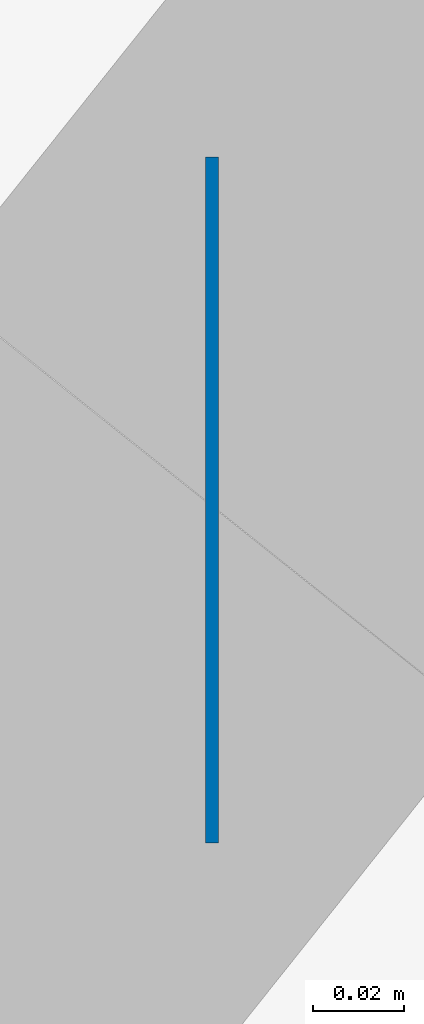
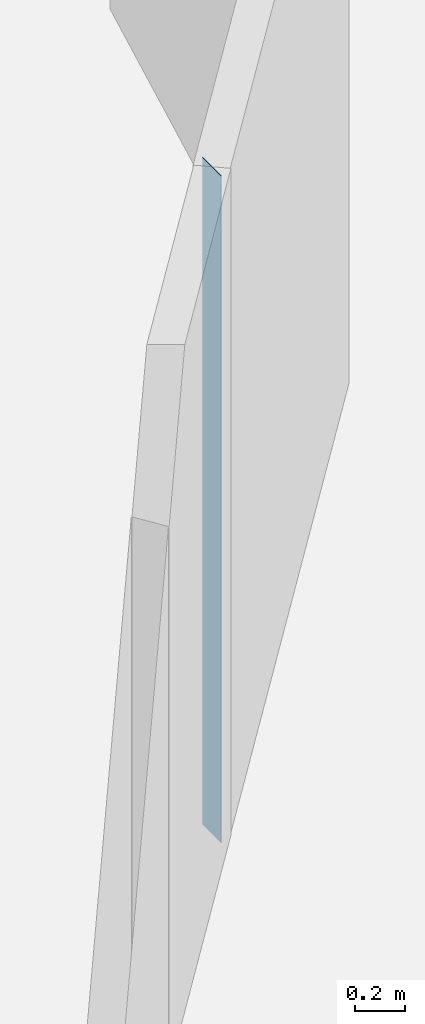
# One storey, part 5 of 12: 1 wall.
"""IFC4 building model written with IfcOpenShell, lengths in metres."""

import ifcopenshell
import ifcopenshell.guid

model = None  # the IFC model being written
_history = None  # IfcOwnerHistory: only IFC2X3 demands one
_inside = {}  # id of a spatial element -> (the spatial element, [elements in it])
_under = {}  # id of a project, library or spatial element -> (it, [spatial elements below it])
_declared = {}  # id of a project -> (the project, [libraries it declares])
_typed = {}  # id of a type object -> (the type object, [elements of that type])
_made_of = {}  # id of a material, layer set ... -> (it, [elements and type objects made of it])


def new_model(schema):
    """Start an empty IFC model of exactly this schema.

    Asked for "IFC4X3", IfcOpenShell would pick the latest addendum, in which some entities
    have other attributes; the version numbers below select the first issue.
    IFC2X3 requires an IfcOwnerHistory on every rooted entity: one is made here for all.
    """
    global model, _history
    if schema == "IFC4X3":
        model = ifcopenshell.file(schema_version=(4, 3, 0, 0))
    else:
        model = ifcopenshell.file(schema=schema)
    _inside.clear()
    _under.clear()
    _declared.clear()
    _typed.clear()
    _made_of.clear()
    _history = None
    if model.schema == "IFC2X3":
        org = make("IfcOrganization", Name="unknown")
        user = make(
            "IfcPersonAndOrganization",
            ThePerson=make("IfcPerson", FamilyName="unknown"),
            TheOrganization=org,
        )
        app = make(
            "IfcApplication",
            ApplicationDeveloper=org,
            Version="unknown",
            ApplicationFullName="unknown",
            ApplicationIdentifier="unknown",
        )
        _history = make(
            "IfcOwnerHistory",
            OwningUser=user,
            OwningApplication=app,
            ChangeAction="ADDED",
            CreationDate=0,
        )
    return model


def make(cls, **values):
    """One entity of the class cls with the attributes given. An attribute that is None is left unset."""
    return model.create_entity(
        cls, **{name: value for name, value in values.items() if value is not None}
    )


def rooted(cls, **values):
    """An entity with a GlobalId (a new one), such as an element, a storey or a relation."""
    return make(cls, GlobalId=ifcopenshell.guid.new(), OwnerHistory=_history, **values)


def si_unit(unit_type, name, prefix=None):
    """IfcSIUnit, for example si_unit("LENGTHUNIT", "METRE", prefix="MILLI")."""
    return make("IfcSIUnit", UnitType=unit_type, Prefix=prefix, Name=name)


def assignment(units):
    """IfcUnitAssignment: the units of a project."""
    return None if units is None else make("IfcUnitAssignment", Units=units)


def point(xyz):
    """IfcCartesianPoint."""
    return None if xyz is None else make("IfcCartesianPoint", Coordinates=xyz)


def direction(xyz):
    """IfcDirection."""
    return None if xyz is None else make("IfcDirection", DirectionRatios=xyz)


def frame(location, z_axis=None, x_axis=None):
    """IfcAxis2Placement3D, a coordinate frame: its origin and axes. An axis left out is left unset."""
    return make(
        "IfcAxis2Placement3D",
        Location=point(location),
        Axis=direction(z_axis),
        RefDirection=direction(x_axis),
    )


def frame_2d(location, x_axis=None):
    """IfcAxis2Placement2D, a coordinate frame in the plane: its origin and x axis."""
    return make(
        "IfcAxis2Placement2D", Location=point(location), RefDirection=direction(x_axis)
    )


def origin():
    """The frame at (0, 0, 0) with its axes left unset."""
    return frame((0.0, 0.0, 0.0))


def place(relative_to, where):
    """IfcLocalPlacement: puts the frame where relative to a parent placement (None: the world)."""
    return make(
        "IfcLocalPlacement", PlacementRelTo=relative_to, RelativePlacement=where
    )


def context(
    kind, dimensions, precision=None, world=None, true_north=None, identifier=None
):
    """IfcGeometricRepresentationContext, for example the 3D "Model" context."""
    return make(
        "IfcGeometricRepresentationContext",
        ContextIdentifier=identifier,
        ContextType=kind,
        CoordinateSpaceDimension=dimensions,
        Precision=precision,
        WorldCoordinateSystem=world,
        TrueNorth=true_north,
    )


def subcontext(parent, identifier, kind, view, scale=None):
    """IfcGeometricRepresentationSubContext, for example "Body" below "Model"."""
    return make(
        "IfcGeometricRepresentationSubContext",
        ContextIdentifier=identifier,
        ContextType=kind,
        ParentContext=parent,
        TargetScale=scale,
        TargetView=view,
    )


def project(units=None, contexts=None):
    """IfcProject with its units and contexts."""
    return rooted(
        "IfcProject",
        Name="project",
        RepresentationContexts=contexts,
        UnitsInContext=assignment(units),
    )


def spatial(cls, under=None, at=None, **own):
    """A site, building, storey or space (cls), placed at a placement, below another one or the project."""
    s = rooted(cls, ObjectPlacement=at, **own)
    if under is not None:
        _under.setdefault(under.id(), (under, []))[1].append(s)
    return s


def profile(cls, at=None, kind="AREA", **sizes):
    """A parametric profile (cls). Its sizes go by their IFC names, for example OverallWidth=200.0."""
    return make(cls, ProfileType=kind, Position=at, **sizes)


def rectangle(**sizes):
    """IfcRectangleProfileDef."""
    return profile("IfcRectangleProfileDef", **sizes)


def extrude(swept, where, along, depth):
    """IfcExtrudedAreaSolid: the profile swept, set in the frame where, extruded along a direction by depth."""
    return make(
        "IfcExtrudedAreaSolid",
        SweptArea=swept,
        Position=where,
        ExtrudedDirection=direction(along),
        Depth=depth,
    )


def shape(context_of_items, identifier, shape_type, items):
    """IfcShapeRepresentation: the items that make up one representation, for example the "Body"."""
    return make(
        "IfcShapeRepresentation",
        ContextOfItems=context_of_items,
        RepresentationIdentifier=identifier,
        RepresentationType=shape_type,
        Items=items,
    )


def material(Name=None, Category=None):
    """IfcMaterial."""
    return make("IfcMaterial", Name=Name, Category=Category)


def layer(
    of_material, thickness, ventilated=None, Name=None, Category=None, Priority=None
):
    """IfcMaterialLayer: one layer of a wall or slab, of a material (None: an air gap)."""
    return make(
        "IfcMaterialLayer",
        Material=of_material,
        LayerThickness=thickness,
        IsVentilated=ventilated,
        Name=Name,
        Category=Category,
        Priority=Priority,
    )


def layer_set(layers, Name=None):
    """IfcMaterialLayerSet."""
    return make("IfcMaterialLayerSet", MaterialLayers=layers, LayerSetName=Name)


def made_of(thing, what):
    """Note that an element or type object is made of a material, layer set ...; save() writes the relation."""
    if what is not None:
        _made_of.setdefault(what.id(), (what, []))[1].append(thing)
    return thing


def type_object(cls, material=None, **own):
    """A type object (cls), such as IfcWallType, which elements share."""
    return made_of(rooted(cls, **own), material)


def element(
    cls,
    number,
    at=None,
    inside=None,
    cuts=None,
    type_object=None,
    material=None,
    context=None,
    identifier="Body",
    shape_type=None,
    held_by="IfcProductDefinitionShape",
    body=None,
    shapes=None,
    **own,
):
    """One element of the class cls, such as IfcWall. Its Tag is "e" and its number.

    at: its placement. inside: the storey or other place that contains it. cuts: it is an
    opening in that element (IfcRelVoidsElement). A single representation is given by context,
    identifier, shape_type and body (its items); several are given by shapes. held_by: the class
    of the entity that holds the representations. save() writes the other relations.
    """
    e = rooted(cls, Tag="e%d" % number, ObjectPlacement=at, **own)
    if body is not None:
        shapes = [shape(context, identifier, shape_type, body)]
    if shapes is not None:
        e.Representation = make(held_by, Representations=shapes)
    if inside is not None:
        _inside.setdefault(inside.id(), (inside, []))[1].append(e)
    if cuts is not None:
        rooted(
            "IfcRelVoidsElement", RelatingBuildingElement=cuts, RelatedOpeningElement=e
        )
    if type_object is not None:
        _typed.setdefault(type_object.id(), (type_object, []))[1].append(e)
    return made_of(e, material)


def aggregate(whole, parts):
    """IfcRelAggregates: a whole, such as a stair, and the parts it consists of."""
    return rooted("IfcRelAggregates", RelatingObject=whole, RelatedObjects=parts)


def save(model, path):
    """Write the relations noted so far, then the file.

    IfcRelAggregates (storeys below a building ...), IfcRelContainedInSpatialStructure (elements
    in a storey), IfcRelDefinesByType, IfcRelAssociatesMaterial and IfcRelDeclares: one each for
    every whole, place, type object, material and project.
    """
    for whole, parts in _under.values():
        aggregate(whole, parts)
    for where, things in _inside.values():
        rooted(
            "IfcRelContainedInSpatialStructure",
            RelatedElements=things,
            RelatingStructure=where,
        )
    for kind, things in _typed.values():
        rooted("IfcRelDefinesByType", RelatedObjects=things, RelatingType=kind)
    for what, things in _made_of.values():
        rooted("IfcRelAssociatesMaterial", RelatedObjects=things, RelatingMaterial=what)
    for by, libraries in _declared.values():
        rooted("IfcRelDeclares", RelatingContext=by, RelatedDefinitions=libraries)
    model.write(path)


model = new_model("IFC4")

# Units and contexts
model_context = context("Model", 3, precision=1e-05, world=origin(), true_north=direction((0.0, 1.0)))
body_context = subcontext(model_context, "Body", "Model", "MODEL_VIEW")
ifc_project = project(units=[si_unit("LENGTHUNIT", "METRE"), si_unit("AREAUNIT", "SQUARE_METRE"), si_unit("VOLUMEUNIT", "CUBIC_METRE"), si_unit("PLANEANGLEUNIT", "RADIAN"), si_unit("MASSUNIT", "GRAM", prefix="KILO")], contexts=[model_context])

# Site, building, storey
site_placement = place(None, origin())
site = spatial("IfcSite", under=ifc_project, at=site_placement, CompositionType="ELEMENT")
building_placement = place(site_placement, origin())
building = spatial("IfcBuilding", under=site, at=building_placement, Name="Tracery Tower", CompositionType="ELEMENT")
storey_placement = place(building_placement, frame((0.0, 0.0, 234.60009765625)))
storey = spatial("IfcBuildingStorey", under=building, at=storey_placement, Name="L60", CompositionType="ELEMENT", Elevation=234.60009765625)

# Wall
ifc_material = material(Name="Plasterboard on steel studs", Category="steel")
ifc_layer = layer(ifc_material, 0.14990234375)
ifc_layer_set = layer_set([ifc_layer], Name="Partition 150 corridor wall")
wall_type = type_object("IfcWallType", Name="Partition 150 corridor wall", PredefinedType="PARTITIONING", material=ifc_layer_set)
wall_placement = place(storey_placement, frame((11.136962890625, -8.800048828125, 0.0), z_axis=(0.0, 0.0, 1.0), x_axis=(-1.0, 0.0, 0.0)))
element("IfcWall", 1, at=wall_placement, inside=storey, type_object=wall_type, Name="Corridor wall RC1-019", PredefinedType="PARTITIONING", context=body_context, shape_type="SweptSolid", body=[
    extrude(rectangle(XDim=0.0029296875, YDim=0.14990234375, at=frame_2d((0.00146484375, 0.0))), origin(), (0.0, 0.0, 1.0), 3.25),
])

save(model, "model.ifc")
